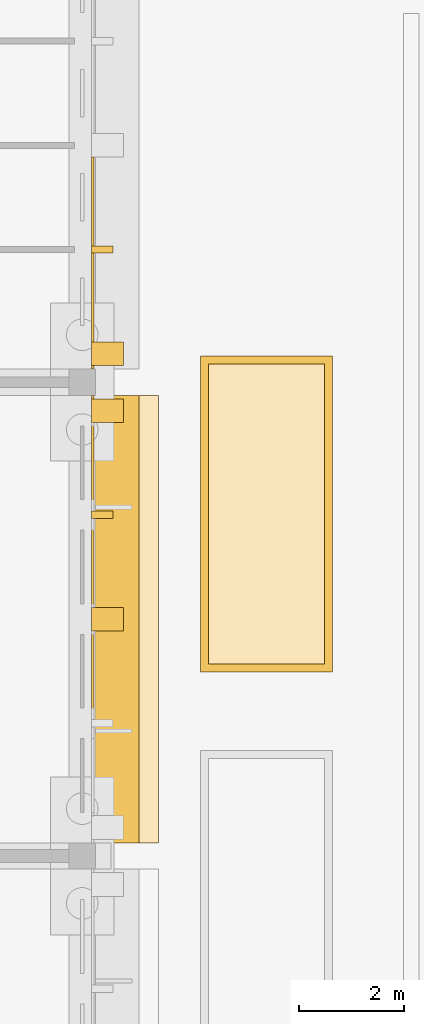
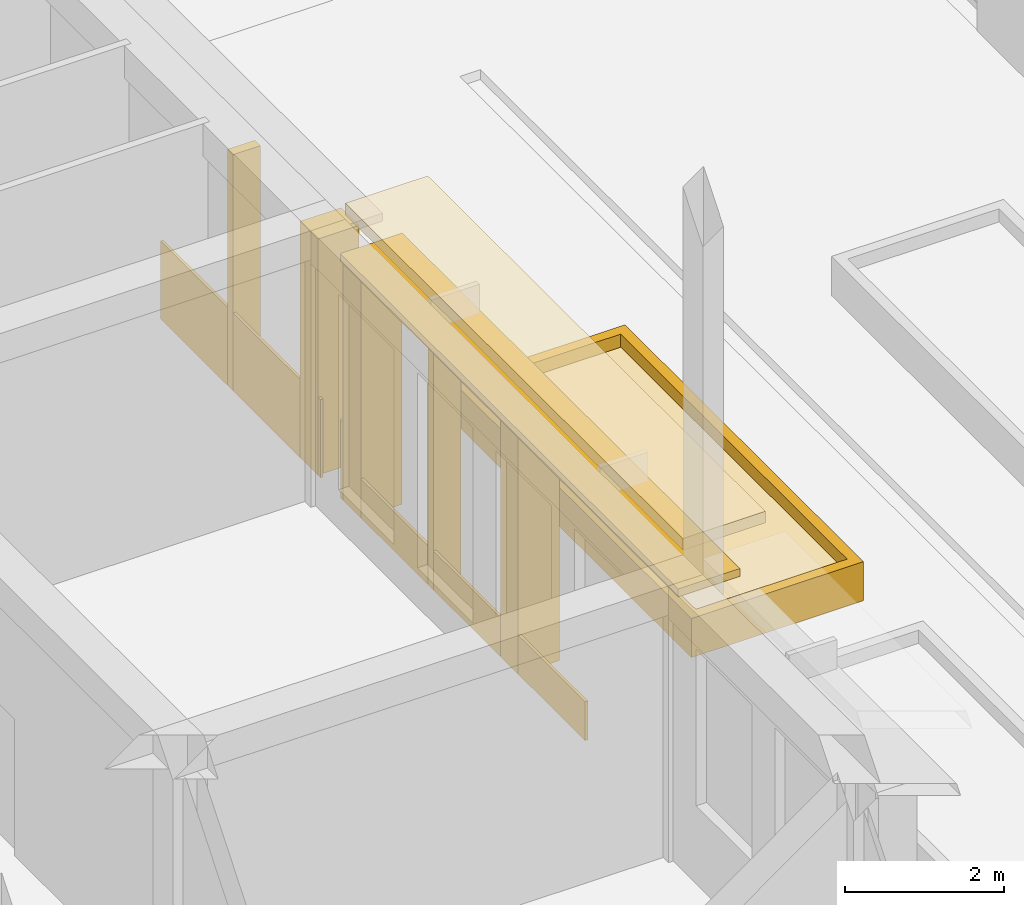
# One storey, part 111 of 161: 15 coverings, 1 shading device.
"""IFC4 building model written with IfcOpenShell, lengths in metres."""

from ifc_helpers import new_model, si_unit, direction, frame, origin, origin_2d, place, context, subcontext, project, spatial, polyline, rectangle, outline, extrude, material, layer, layer_set, type_object, element, save


model = new_model("IFC4")

# Units and contexts
model_context = context("Model", 3, precision=1e-05, world=origin(), true_north=direction((0.0, 1.0)))
body_context = subcontext(model_context, "Body", "Model", "MODEL_VIEW")
ifc_project = project(units=[si_unit("LENGTHUNIT", "METRE"), si_unit("AREAUNIT", "SQUARE_METRE"), si_unit("VOLUMEUNIT", "CUBIC_METRE"), si_unit("PLANEANGLEUNIT", "RADIAN"), si_unit("MASSUNIT", "GRAM", prefix="KILO")], contexts=[model_context])

# Site, building, storey
site_placement = place(None, origin())
site = spatial("IfcSite", under=ifc_project, at=site_placement, CompositionType="ELEMENT")
building_placement = place(site_placement, origin())
building = spatial("IfcBuilding", under=site, at=building_placement, Name="Elbe Cascade School", CompositionType="ELEMENT")
storey_placement = place(building_placement, origin())
storey = spatial("IfcBuildingStorey", under=building, at=storey_placement, Name="L00", CompositionType="ELEMENT", Elevation=0.0)

# Shading device
ifc_material_1 = material(Name="Precast concrete C30/37", Category="concrete")
ifc_layer_1 = layer(ifc_material_1, 0.1201171875)
ifc_layer_set_1 = layer_set([ifc_layer_1], Name="Precast concrete C30/37")
shading_device_type = type_object("IfcShadingDeviceType", Name="Bars envelope Chhajja eave, precast concrete, 900 x 120", PredefinedType="USERDEFINED", material=ifc_layer_set_1)
shading_device_placement = place(storey_placement, frame((116.330078125, 46.5, 3.6298828125), z_axis=(0.0, 0.0, 1.0), x_axis=(0.0, 1.0, 0.0)))
element("IfcShadingDevice", 1, at=shading_device_placement, inside=storey, type_object=shading_device_type, Name="Chhajja eave SD2 B.L00.e5", ObjectType="CHHAJJA", PredefinedType="USERDEFINED", context=body_context, shape_type="SweptSolid", body=[
    extrude(rectangle(XDim=8.5, YDim=0.89990234375, at=origin_2d()), origin(), (0.0, 0.0, 1.0), 0.1201171875),
])

# Coverings
ifc_material_2 = material(Name="Precast concrete C40/50", Category="concrete")
covering_type_1 = type_object("IfcCoveringType", Name="Bars envelope Precast concrete fin, 140 wide, 400 deep", PredefinedType="CLADDING", material=ifc_material_2)
for number, where, z_axis, x_axis, name in (
    (2, (116.080078125, 48.47998046875, 0.0), (0.0, 0.0, 1.0), (0.0, 1.0, 0.0), "Fin CV56 B.L00.e5.5"),
    (3, (116.080078125, 53.52001953125, 0.0), (0.0, 0.0, 1.0), (0.0, 1.0, 0.0), "Fin CV56 B.L00.e6.4"),
):
    element("IfcCovering", number, at=place(storey_placement, frame(where, z_axis=z_axis, x_axis=x_axis)), inside=storey, type_object=covering_type_1, Name=name, PredefinedType="CLADDING", context=body_context, shape_type="SweptSolid", body=[
        extrude(rectangle(XDim=0.139892578125, YDim=0.39990234375, at=origin_2d()), origin(), (0.0, 0.0, 1.0), 3.6298828125),
    ])
ifc_material_3 = material(Name="Precast concrete C40/50", Category="concrete")
covering_type_2 = type_object("IfcCoveringType", Name="Bars envelope Precast concrete fin, 450 wide, 600 deep", PredefinedType="CLADDING", material=ifc_material_3)
for number, where, z_axis, x_axis, name in (
    (4, (116.179931640625, 46.5, 0.0), (0.0, 0.0, 1.0), (0.0, 1.0, 0.0), "Fin CV55 B.L00.e5.2"),
    (5, (116.179931640625, 50.4599609375, 0.0), (0.0, 0.0, 1.0), (0.0, 1.0, 0.0), "Fin CV55 B.L00.e5.3"),
    (6, (116.179931640625, 51.5400390625, 0.0), (0.0, 0.0, 1.0), (0.0, 1.0, 0.0), "Fin CV55 B.L00.e6.1"),
):
    element("IfcCovering", number, at=place(storey_placement, frame(where, z_axis=z_axis, x_axis=x_axis)), inside=storey, type_object=covering_type_2, Name=name, PredefinedType="CLADDING", context=body_context, shape_type="SweptSolid", body=[
        extrude(rectangle(XDim=0.449951171875, YDim=0.60009765625, at=origin_2d()), origin(), (0.0, 0.0, 1.0), 3.6298828125),
    ])
ifc_material_4 = material(Name="Sandstone - red", Category="masonry")
covering_type_3 = type_object("IfcCoveringType", Name="Bars envelope Sandstone chhajja slab, 1200 deep", PredefinedType="CLADDING", material=ifc_material_4)
covering_1_placement = place(storey_placement, frame((116.550048828125, 46.5, 4.31982421875), z_axis=(0.0, 0.0, 1.0), x_axis=(0.0, 1.0, 0.0)))
element("IfcCovering", 7, at=covering_1_placement, inside=storey, type_object=covering_type_3, Name="Chhajja slab CV61 B.L00.e4.1", PredefinedType="CLADDING", context=body_context, shape_type="SweptSolid", body=[
    extrude(rectangle(XDim=8.5, YDim=1.199951171875, at=origin_2d()), origin(), (0.0, 0.0, 1.0), 0.179931640625),
])
ifc_material_5 = material(Name="Sandstone - red", Category="masonry")
ifc_layer_2 = layer(ifc_material_5, 0.0400390625)
ifc_layer_set_2 = layer_set([ifc_layer_2], Name="Sandstone - red")
covering_type_4 = type_object("IfcCoveringType", Name="Bars envelope Sandstone cladding, red, 40 mm", PredefinedType="CLADDING", material=ifc_layer_set_2)
for number, where, z_axis, x_axis, name in (
    (8, (115.89990234375, 45.4326171875, 0.0), (0.0, 0.0, 1.0), (0.0, 1.0, 0.0), "Sandstone cladding CV48 B.L00.e.5.3"),
    (9, (115.89990234375, 47.5673828125, 0.0), (0.0, 0.0, 1.0), (0.0, 1.0, 0.0), "Sandstone cladding CV48 B.L00.e.5.4"),
    (10, (115.89990234375, 49.392578125, 0.0), (0.0, 0.0, 1.0), (0.0, 1.0, 0.0), "Sandstone cladding CV48 B.L00.e.5.5"),
):
    element("IfcCovering", number, at=place(storey_placement, frame(where, z_axis=z_axis, x_axis=x_axis)), inside=storey, type_object=covering_type_4, Name=name, PredefinedType="CLADDING", context=body_context, shape_type="SweptSolid", body=[
        extrude(rectangle(XDim=1.68505859375, YDim=0.0400390625, at=origin_2d()), origin(), (0.0, 0.0, 1.0), 0.60009765625),
    ])
for number, where, z_axis, x_axis, name in (
    (11, (115.89990234375, 50.717529296875, 0.0), (0.0, 0.0, 1.0), (0.0, 1.0, 0.0), "Sandstone cladding CV48 B.L00.e.5.6"),
    (12, (115.89990234375, 51.282470703125, 0.0), (0.0, 0.0, 1.0), (0.0, 1.0, 0.0), "Sandstone cladding CV48 B.L00.e.6.1"),
):
    element("IfcCovering", number, at=place(storey_placement, frame(where, z_axis=z_axis, x_axis=x_axis)), inside=storey, type_object=covering_type_4, Name=name, PredefinedType="CLADDING", context=body_context, shape_type="SweptSolid", body=[
        extrude(rectangle(XDim=0.06494140625, YDim=0.0400390625, at=origin_2d()), origin(), (0.0, 0.0, 1.0), 1.199951171875),
    ])
for number, where, z_axis, x_axis, name in (
    (13, (115.89990234375, 52.607421875, 0.0), (0.0, 0.0, 1.0), (0.0, 1.0, 0.0), "Sandstone cladding CV48 B.L00.e.6.2"),
    (14, (115.89990234375, 54.4326171875, 0.0), (0.0, 0.0, 1.0), (0.0, 1.0, 0.0), "Sandstone cladding CV48 B.L00.e.6.3"),
):
    element("IfcCovering", number, at=place(storey_placement, frame(where, z_axis=z_axis, x_axis=x_axis)), inside=storey, type_object=covering_type_4, Name=name, PredefinedType="CLADDING", context=body_context, shape_type="SweptSolid", body=[
        extrude(rectangle(XDim=1.68505859375, YDim=0.0400390625, at=origin_2d()), origin(), (0.0, 0.0, 1.0), 1.199951171875),
    ])
ifc_material_6 = material(Name="Planting - soil and shrubs", Category="soil")
ifc_layer_3 = layer(ifc_material_6, 0.39990234375)
ifc_layer_set_3 = layer_set([ifc_layer_3], Name="Planting - soil and shrubs")
covering_type_5 = type_object("IfcCoveringType", Name="Site planting bed 400", PredefinedType="USERDEFINED", material=ifc_layer_set_3)
covering_2_placement = place(storey_placement, origin())
element("IfcCovering", 15, at=covering_2_placement, inside=storey, type_object=covering_type_5, Name="Court B-C planting bed west 6", ObjectType="PLANTING BED", PredefinedType="USERDEFINED", context=body_context, shape_type="SweptSolid", body=[
    extrude(outline(polyline([(118.10009765625, 45.64990234375), (120.300048828125, 45.64990234375), (120.300048828125, 51.35009765625), (118.10009765625, 51.35009765625), (118.10009765625, 45.64990234375)])), origin(), (0.0, 0.0, 1.0), 0.39990234375),
])
ifc_material_7 = material(Name="Concrete C30/37 precast kerb", Category="concrete")
ifc_layer_4 = layer(ifc_material_7, 0.14990234375)
ifc_layer_set_4 = layer_set([ifc_layer_4], Name="Concrete C30/37 precast kerb")
covering_type_6 = type_object("IfcCoveringType", Name="Site planting bed kerb 150x600", PredefinedType="CLADDING", material=ifc_layer_set_4)
covering_3_placement = place(storey_placement, origin())
element("IfcCovering", 16, at=covering_3_placement, inside=storey, type_object=covering_type_6, Name="Court B-C planting bed kerb west 6", PredefinedType="CLADDING", context=body_context, shape_type="SweptSolid", body=[
    extrude(outline(polyline([(117.949951171875, 45.5), (120.449951171875, 45.5), (120.449951171875, 51.5), (117.949951171875, 51.5), (117.949951171875, 45.5)]), holes=[polyline([(118.10009765625, 45.64990234375), (120.300048828125, 45.64990234375), (120.300048828125, 51.35009765625), (118.10009765625, 51.35009765625), (118.10009765625, 45.64990234375)])]), origin(), (0.0, 0.0, 1.0), 0.60009765625),
])

save(model, "model.ifc")
